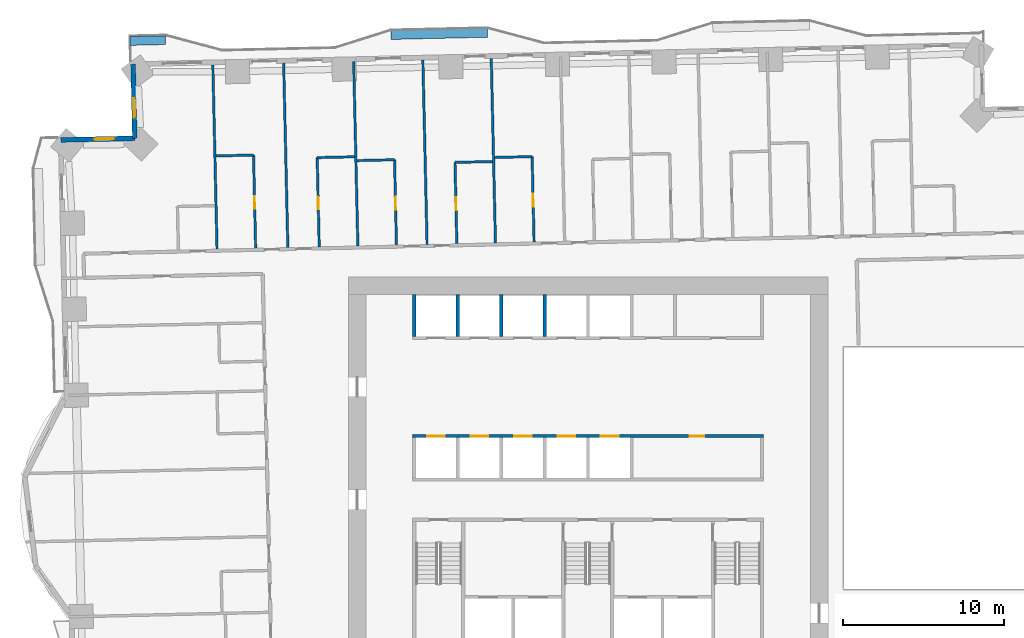
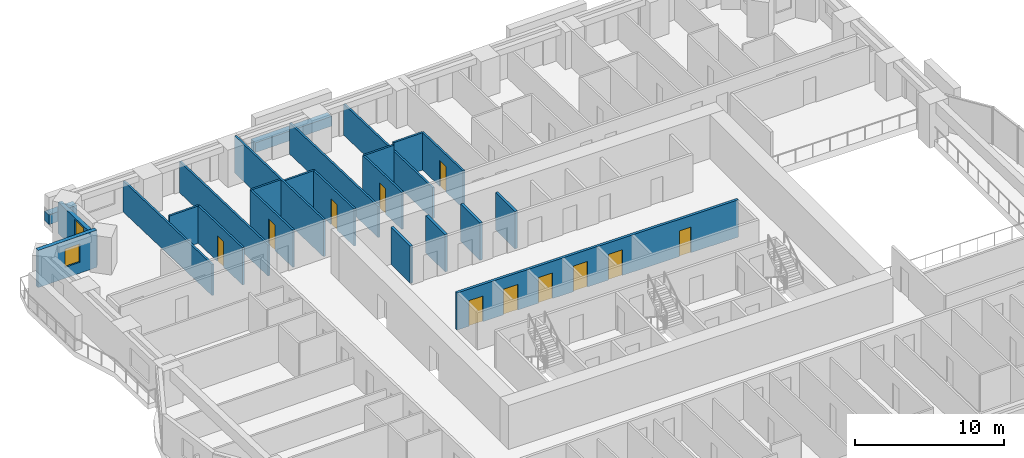
# One storey, part 9 of 16: 24 walls, 11 doors, 2 windows, 13 openings.
"""IFC4 building model written with IfcOpenShell, lengths in metres."""

import ifcopenshell
import ifcopenshell.guid

model = None  # the IFC model being written
_history = None  # IfcOwnerHistory: only IFC2X3 demands one
_inside = {}  # id of a spatial element -> (the spatial element, [elements in it])
_under = {}  # id of a project, library or spatial element -> (it, [spatial elements below it])
_declared = {}  # id of a project -> (the project, [libraries it declares])
_typed = {}  # id of a type object -> (the type object, [elements of that type])
_made_of = {}  # id of a material, layer set ... -> (it, [elements and type objects made of it])


def new_model(schema):
    """Start an empty IFC model of exactly this schema.

    Asked for "IFC4X3", IfcOpenShell would pick the latest addendum, in which some entities
    have other attributes; the version numbers below select the first issue.
    IFC2X3 requires an IfcOwnerHistory on every rooted entity: one is made here for all.
    """
    global model, _history
    if schema == "IFC4X3":
        model = ifcopenshell.file(schema_version=(4, 3, 0, 0))
    else:
        model = ifcopenshell.file(schema=schema)
    _inside.clear()
    _under.clear()
    _declared.clear()
    _typed.clear()
    _made_of.clear()
    _history = None
    if model.schema == "IFC2X3":
        org = make("IfcOrganization", Name="unknown")
        user = make(
            "IfcPersonAndOrganization",
            ThePerson=make("IfcPerson", FamilyName="unknown"),
            TheOrganization=org,
        )
        app = make(
            "IfcApplication",
            ApplicationDeveloper=org,
            Version="unknown",
            ApplicationFullName="unknown",
            ApplicationIdentifier="unknown",
        )
        _history = make(
            "IfcOwnerHistory",
            OwningUser=user,
            OwningApplication=app,
            ChangeAction="ADDED",
            CreationDate=0,
        )
    return model


def make(cls, **values):
    """One entity of the class cls with the attributes given. An attribute that is None is left unset."""
    return model.create_entity(
        cls, **{name: value for name, value in values.items() if value is not None}
    )


def rooted(cls, **values):
    """An entity with a GlobalId (a new one), such as an element, a storey or a relation."""
    return make(cls, GlobalId=ifcopenshell.guid.new(), OwnerHistory=_history, **values)


def si_unit(unit_type, name, prefix=None):
    """IfcSIUnit, for example si_unit("LENGTHUNIT", "METRE", prefix="MILLI")."""
    return make("IfcSIUnit", UnitType=unit_type, Prefix=prefix, Name=name)


def assignment(units):
    """IfcUnitAssignment: the units of a project."""
    return None if units is None else make("IfcUnitAssignment", Units=units)


def point(xyz):
    """IfcCartesianPoint."""
    return None if xyz is None else make("IfcCartesianPoint", Coordinates=xyz)


def direction(xyz):
    """IfcDirection."""
    return None if xyz is None else make("IfcDirection", DirectionRatios=xyz)


def frame(location, z_axis=None, x_axis=None):
    """IfcAxis2Placement3D, a coordinate frame: its origin and axes. An axis left out is left unset."""
    return make(
        "IfcAxis2Placement3D",
        Location=point(location),
        Axis=direction(z_axis),
        RefDirection=direction(x_axis),
    )


def frame_2d(location, x_axis=None):
    """IfcAxis2Placement2D, a coordinate frame in the plane: its origin and x axis."""
    return make(
        "IfcAxis2Placement2D", Location=point(location), RefDirection=direction(x_axis)
    )


def origin():
    """The frame at (0, 0, 0) with its axes left unset."""
    return frame((0.0, 0.0, 0.0))


def place(relative_to, where):
    """IfcLocalPlacement: puts the frame where relative to a parent placement (None: the world)."""
    return make(
        "IfcLocalPlacement", PlacementRelTo=relative_to, RelativePlacement=where
    )


def context(
    kind, dimensions, precision=None, world=None, true_north=None, identifier=None
):
    """IfcGeometricRepresentationContext, for example the 3D "Model" context."""
    return make(
        "IfcGeometricRepresentationContext",
        ContextIdentifier=identifier,
        ContextType=kind,
        CoordinateSpaceDimension=dimensions,
        Precision=precision,
        WorldCoordinateSystem=world,
        TrueNorth=true_north,
    )


def subcontext(parent, identifier, kind, view, scale=None):
    """IfcGeometricRepresentationSubContext, for example "Body" below "Model"."""
    return make(
        "IfcGeometricRepresentationSubContext",
        ContextIdentifier=identifier,
        ContextType=kind,
        ParentContext=parent,
        TargetScale=scale,
        TargetView=view,
    )


def project(units=None, contexts=None):
    """IfcProject with its units and contexts."""
    return rooted(
        "IfcProject",
        Name="project",
        RepresentationContexts=contexts,
        UnitsInContext=assignment(units),
    )


def spatial(cls, under=None, at=None, **own):
    """A site, building, storey or space (cls), placed at a placement, below another one or the project."""
    s = rooted(cls, ObjectPlacement=at, **own)
    if under is not None:
        _under.setdefault(under.id(), (under, []))[1].append(s)
    return s


def profile(cls, at=None, kind="AREA", **sizes):
    """A parametric profile (cls). Its sizes go by their IFC names, for example OverallWidth=200.0."""
    return make(cls, ProfileType=kind, Position=at, **sizes)


def rectangle(**sizes):
    """IfcRectangleProfileDef."""
    return profile("IfcRectangleProfileDef", **sizes)


def extrude(swept, where, along, depth):
    """IfcExtrudedAreaSolid: the profile swept, set in the frame where, extruded along a direction by depth."""
    return make(
        "IfcExtrudedAreaSolid",
        SweptArea=swept,
        Position=where,
        ExtrudedDirection=direction(along),
        Depth=depth,
    )


def shape(context_of_items, identifier, shape_type, items):
    """IfcShapeRepresentation: the items that make up one representation, for example the "Body"."""
    return make(
        "IfcShapeRepresentation",
        ContextOfItems=context_of_items,
        RepresentationIdentifier=identifier,
        RepresentationType=shape_type,
        Items=items,
    )


def material(Name=None, Category=None):
    """IfcMaterial."""
    return make("IfcMaterial", Name=Name, Category=Category)


def layer(
    of_material, thickness, ventilated=None, Name=None, Category=None, Priority=None
):
    """IfcMaterialLayer: one layer of a wall or slab, of a material (None: an air gap)."""
    return make(
        "IfcMaterialLayer",
        Material=of_material,
        LayerThickness=thickness,
        IsVentilated=ventilated,
        Name=Name,
        Category=Category,
        Priority=Priority,
    )


def layer_set(layers, Name=None):
    """IfcMaterialLayerSet."""
    return make("IfcMaterialLayerSet", MaterialLayers=layers, LayerSetName=Name)


def made_of(thing, what):
    """Note that an element or type object is made of a material, layer set ...; save() writes the relation."""
    if what is not None:
        _made_of.setdefault(what.id(), (what, []))[1].append(thing)
    return thing


def type_object(cls, material=None, **own):
    """A type object (cls), such as IfcWallType, which elements share."""
    return made_of(rooted(cls, **own), material)


def element(
    cls,
    number,
    at=None,
    inside=None,
    cuts=None,
    type_object=None,
    material=None,
    context=None,
    identifier="Body",
    shape_type=None,
    held_by="IfcProductDefinitionShape",
    body=None,
    shapes=None,
    **own,
):
    """One element of the class cls, such as IfcWall. Its Tag is "e" and its number.

    at: its placement. inside: the storey or other place that contains it. cuts: it is an
    opening in that element (IfcRelVoidsElement). A single representation is given by context,
    identifier, shape_type and body (its items); several are given by shapes. held_by: the class
    of the entity that holds the representations. save() writes the other relations.
    """
    e = rooted(cls, Tag="e%d" % number, ObjectPlacement=at, **own)
    if body is not None:
        shapes = [shape(context, identifier, shape_type, body)]
    if shapes is not None:
        e.Representation = make(held_by, Representations=shapes)
    if inside is not None:
        _inside.setdefault(inside.id(), (inside, []))[1].append(e)
    if cuts is not None:
        rooted(
            "IfcRelVoidsElement", RelatingBuildingElement=cuts, RelatedOpeningElement=e
        )
    if type_object is not None:
        _typed.setdefault(type_object.id(), (type_object, []))[1].append(e)
    return made_of(e, material)


def fill(opening, filler):
    """IfcRelFillsElement: the door or window that sits in an opening."""
    return rooted(
        "IfcRelFillsElement",
        RelatingOpeningElement=opening,
        RelatedBuildingElement=filler,
    )


def aggregate(whole, parts):
    """IfcRelAggregates: a whole, such as a stair, and the parts it consists of."""
    return rooted("IfcRelAggregates", RelatingObject=whole, RelatedObjects=parts)


def save(model, path):
    """Write the relations noted so far, then the file.

    IfcRelAggregates (storeys below a building ...), IfcRelContainedInSpatialStructure (elements
    in a storey), IfcRelDefinesByType, IfcRelAssociatesMaterial and IfcRelDeclares: one each for
    every whole, place, type object, material and project.
    """
    for whole, parts in _under.values():
        aggregate(whole, parts)
    for where, things in _inside.values():
        rooted(
            "IfcRelContainedInSpatialStructure",
            RelatedElements=things,
            RelatingStructure=where,
        )
    for kind, things in _typed.values():
        rooted("IfcRelDefinesByType", RelatedObjects=things, RelatingType=kind)
    for what, things in _made_of.values():
        rooted("IfcRelAssociatesMaterial", RelatedObjects=things, RelatingMaterial=what)
    for by, libraries in _declared.values():
        rooted("IfcRelDeclares", RelatingContext=by, RelatedDefinitions=libraries)
    model.write(path)


model = new_model("IFC4")

# Units and contexts
model_context = context("Model", 3, precision=1e-05, world=origin(), true_north=direction((0.0, 1.0)))
body_context = subcontext(model_context, "Body", "Model", "MODEL_VIEW")
ifc_project = project(units=[si_unit("LENGTHUNIT", "METRE"), si_unit("AREAUNIT", "SQUARE_METRE"), si_unit("VOLUMEUNIT", "CUBIC_METRE"), si_unit("PLANEANGLEUNIT", "RADIAN"), si_unit("MASSUNIT", "GRAM", prefix="KILO")], contexts=[model_context])

# Site, building, storey
site_placement = place(None, origin())
site = spatial("IfcSite", under=ifc_project, at=site_placement, CompositionType="ELEMENT")
building_placement = place(site_placement, origin())
building = spatial("IfcBuilding", under=site, at=building_placement, Name="Mangrove Gate Tower", CompositionType="ELEMENT")
storey_placement = place(building_placement, frame((0.0, 0.0, 48.5)))
storey = spatial("IfcBuildingStorey", under=building, at=storey_placement, Name="L11", CompositionType="ELEMENT", Elevation=48.5)

# Wall, openings, doors
ifc_material_1 = material(Name="Concrete C70/85", Category="concrete")
ifc_layer_1 = layer(ifc_material_1, 0.199951171875)
ifc_layer_set_1 = layer_set([ifc_layer_1], Name="Core shaft wall 200 C70/85")
wall_type_1 = type_object("IfcWallType", Name="Core shaft wall 200 C70/85", PredefinedType="SHEAR", material=ifc_layer_set_1)
wall_1_placement = place(storey_placement, frame((-10.89990234375, 2.0, 0.0), z_axis=(0.0, 0.0, 1.0), x_axis=(1.0, 0.0, 0.0)))
wall_1 = element("IfcWall", 1, at=wall_1_placement, inside=storey, type_object=wall_type_1, Name="WALL-L11-CORE-7", PredefinedType="SHEAR", context=body_context, shape_type="SweptSolid", body=[
    extrude(rectangle(XDim=21.7998046875, YDim=0.199951171875, at=frame_2d((10.89990234375, 0.0))), origin(), (0.0, 0.0, 1.0), 3.050048828125),
])
opening_1_placement = place(wall_1_placement, frame((0.89990234375, 0.0, 0.0)))
opening_1 = element("IfcOpeningElement", 2, at=opening_1_placement, cuts=wall_1, Name="Opening LD", PredefinedType="OPENING", context=body_context, shape_type="SweptSolid", body=[
    extrude(rectangle(XDim=1.10009765625, YDim=2.10009765625, at=frame_2d((0.550048828125, 1.050048828125))), frame((0.0, 0.10986328125, 0.0), z_axis=(0.0, -1.0, 0.0), x_axis=(1.0, 0.0, 0.0)), (0.0, 0.0, 1.0), 0.219970703125),
])
opening_2_placement = place(wall_1_placement, frame((3.60009765625, 0.0, 0.0)))
opening_2 = element("IfcOpeningElement", 3, at=opening_2_placement, cuts=wall_1, Name="Opening LD", PredefinedType="OPENING", context=body_context, shape_type="SweptSolid", body=[
    extrude(rectangle(XDim=1.10009765625, YDim=2.10009765625, at=frame_2d((0.550048828125, 1.050048828125))), frame((0.0, 0.10986328125, 0.0), z_axis=(0.0, -1.0, 0.0), x_axis=(1.0, 0.0, 0.0)), (0.0, 0.0, 1.0), 0.219970703125),
])
opening_3_placement = place(wall_1_placement, frame((6.300048828125, 0.0, 0.0)))
opening_3 = element("IfcOpeningElement", 4, at=opening_3_placement, cuts=wall_1, Name="Opening LD", PredefinedType="OPENING", context=body_context, shape_type="SweptSolid", body=[
    extrude(rectangle(XDim=1.10009765625, YDim=2.10009765625, at=frame_2d((0.550048828125, 1.050048828125))), frame((0.0, 0.10986328125, 0.0), z_axis=(0.0, -1.0, 0.0), x_axis=(1.0, 0.0, 0.0)), (0.0, 0.0, 1.0), 0.219970703125),
])
opening_4_placement = place(wall_1_placement, frame((9.0, 0.0, 0.0)))
opening_4 = element("IfcOpeningElement", 5, at=opening_4_placement, cuts=wall_1, Name="Opening LD", PredefinedType="OPENING", context=body_context, shape_type="SweptSolid", body=[
    extrude(rectangle(XDim=1.10009765625, YDim=2.10009765625, at=frame_2d((0.550048828125, 1.050048828125))), frame((0.0, 0.10986328125, 0.0), z_axis=(0.0, -1.0, 0.0), x_axis=(1.0, 0.0, 0.0)), (0.0, 0.0, 1.0), 0.219970703125),
])
opening_5_placement = place(wall_1_placement, frame((11.699951171875, 0.0, 0.0)))
opening_5 = element("IfcOpeningElement", 6, at=opening_5_placement, cuts=wall_1, Name="Opening LD", PredefinedType="OPENING", context=body_context, shape_type="SweptSolid", body=[
    extrude(rectangle(XDim=1.10009765625, YDim=2.10009765625, at=frame_2d((0.550048828125, 1.050048828125))), frame((0.0, 0.10986328125, 0.0), z_axis=(0.0, -1.0, 0.0), x_axis=(1.0, 0.0, 0.0)), (0.0, 0.0, 1.0), 0.219970703125),
])
opening_6_placement = place(wall_1_placement, frame((17.199951171875, 0.0, 0.0)))
opening_6 = element("IfcOpeningElement", 7, at=opening_6_placement, cuts=wall_1, Name="Opening RD", PredefinedType="OPENING", context=body_context, shape_type="SweptSolid", body=[
    extrude(rectangle(XDim=0.89990234375, YDim=2.10009765625, at=frame_2d((0.449951171875, 1.050048828125))), frame((0.0, 0.10986328125, 0.0), z_axis=(0.0, -1.0, 0.0), x_axis=(1.0, 0.0, 0.0)), (0.0, 0.0, 1.0), 0.219970703125),
])
ifc_material_2 = material(Name="Stainless steel 316", Category="steel")
door_type_1 = type_object("IfcDoorType", Name="Lift landing door 1100x2100", OperationType="SLIDING_TO_LEFT", PredefinedType="DOOR", material=ifc_material_2)
door_1_placement = place(opening_1_placement, origin())
door_1 = element("IfcDoor", 8, at=door_1_placement, inside=storey, type_object=door_type_1, Name="Landing door LD P01", OperationType="SLIDING_TO_LEFT", OverallHeight=2.10009765625, OverallWidth=1.10009765625, PredefinedType="DOOR", context=body_context, shape_type="SweptSolid", body=[
    extrude(rectangle(XDim=1.10009765625, YDim=2.10009765625, at=frame_2d((0.550048828125, 1.050048828125))), frame((0.0, 0.02490234375, 0.0), z_axis=(0.0, -1.0, 0.0), x_axis=(1.0, 0.0, 0.0)), (0.0, 0.0, 1.0), 0.050048828125),
])
fill(opening_1, door_1)
door_2_placement = place(opening_2_placement, origin())
door_2 = element("IfcDoor", 9, at=door_2_placement, inside=storey, type_object=door_type_1, Name="Landing door LD P02", OperationType="SLIDING_TO_LEFT", OverallHeight=2.10009765625, OverallWidth=1.10009765625, PredefinedType="DOOR", context=body_context, shape_type="SweptSolid", body=[
    extrude(rectangle(XDim=1.10009765625, YDim=2.10009765625, at=frame_2d((0.550048828125, 1.050048828125))), frame((0.0, 0.02490234375, 0.0), z_axis=(0.0, -1.0, 0.0), x_axis=(1.0, 0.0, 0.0)), (0.0, 0.0, 1.0), 0.050048828125),
])
fill(opening_2, door_2)
door_3_placement = place(opening_3_placement, origin())
door_3 = element("IfcDoor", 10, at=door_3_placement, inside=storey, type_object=door_type_1, Name="Landing door LD P03", OperationType="SLIDING_TO_LEFT", OverallHeight=2.10009765625, OverallWidth=1.10009765625, PredefinedType="DOOR", context=body_context, shape_type="SweptSolid", body=[
    extrude(rectangle(XDim=1.10009765625, YDim=2.10009765625, at=frame_2d((0.550048828125, 1.050048828125))), frame((0.0, 0.02490234375, 0.0), z_axis=(0.0, -1.0, 0.0), x_axis=(1.0, 0.0, 0.0)), (0.0, 0.0, 1.0), 0.050048828125),
])
fill(opening_3, door_3)
door_4_placement = place(opening_4_placement, origin())
door_4 = element("IfcDoor", 11, at=door_4_placement, inside=storey, type_object=door_type_1, Name="Landing door LD P04", OperationType="SLIDING_TO_LEFT", OverallHeight=2.10009765625, OverallWidth=1.10009765625, PredefinedType="DOOR", context=body_context, shape_type="SweptSolid", body=[
    extrude(rectangle(XDim=1.10009765625, YDim=2.10009765625, at=frame_2d((0.550048828125, 1.050048828125))), frame((0.0, 0.02490234375, 0.0), z_axis=(0.0, -1.0, 0.0), x_axis=(1.0, 0.0, 0.0)), (0.0, 0.0, 1.0), 0.050048828125),
])
fill(opening_4, door_4)
door_5_placement = place(opening_5_placement, origin())
door_5 = element("IfcDoor", 12, at=door_5_placement, inside=storey, type_object=door_type_1, Name="Landing door LD P05", OperationType="SLIDING_TO_LEFT", OverallHeight=2.10009765625, OverallWidth=1.10009765625, PredefinedType="DOOR", context=body_context, shape_type="SweptSolid", body=[
    extrude(rectangle(XDim=1.10009765625, YDim=2.10009765625, at=frame_2d((0.550048828125, 1.050048828125))), frame((0.0, 0.02490234375, 0.0), z_axis=(0.0, -1.0, 0.0), x_axis=(1.0, 0.0, 0.0)), (0.0, 0.0, 1.0), 0.050048828125),
])
fill(opening_5, door_5)
ifc_material_3 = material(Name="Fire-rated steel door set", Category="steel")
door_type_2 = type_object("IfcDoorType", Name="Riser door FD30S 900x2100", OperationType="SINGLE_SWING_LEFT", PredefinedType="DOOR", material=ifc_material_3)
door_6_placement = place(opening_6_placement, origin())
door_6 = element("IfcDoor", 13, at=door_6_placement, inside=storey, type_object=door_type_2, Name="Riser door Electrical room", OperationType="SINGLE_SWING_LEFT", OverallHeight=2.10009765625, OverallWidth=0.89990234375, PredefinedType="DOOR", context=body_context, shape_type="SweptSolid", body=[
    extrude(rectangle(XDim=0.89990234375, YDim=2.10009765625, at=frame_2d((0.449951171875, 1.050048828125))), frame((0.0, 0.02490234375, 0.0), z_axis=(0.0, -1.0, 0.0), x_axis=(1.0, 0.0, 0.0)), (0.0, 0.0, 1.0), 0.050048828125),
])
fill(opening_6, door_6)

# Walls
for number, where, z_axis, x_axis, name in (
    (14, (-10.800048828125, 8.199951171875, 0.0), (0.0, 0.0, 1.0), (0.0, 1.0, 0.0), "WALL-L11-CORE-26"),
    (15, (-8.10009765625, 8.199951171875, 0.0), (0.0, 0.0, 1.0), (0.0, 1.0, 0.0), "WALL-L11-CORE-27"),
    (16, (-5.39990234375, 8.199951171875, 0.0), (0.0, 0.0, 1.0), (0.0, 1.0, 0.0), "WALL-L11-CORE-28"),
    (17, (-2.699951171875, 8.199951171875, 0.0), (0.0, 0.0, 1.0), (0.0, 1.0, 0.0), "WALL-L11-CORE-29"),
):
    element("IfcWall", number, at=place(storey_placement, frame(where, z_axis=z_axis, x_axis=x_axis)), inside=storey, type_object=wall_type_1, Name=name, PredefinedType="SHEAR", context=body_context, shape_type="SweptSolid", body=[
        extrude(rectangle(XDim=2.60009765625, YDim=0.199951171875, at=frame_2d((1.300048828125, 0.0))), origin(), (0.0, 0.0, 1.0), 3.050048828125),
    ])

# Wall, opening, window
ifc_material_4 = material(Name="Limestone", Category="masonry")
ifc_layer_2 = layer(ifc_material_4, 0.0400390625, Name="Limestone cladding")
ifc_material_5 = material(Name="Ventilated air gap")
ifc_layer_3 = layer(ifc_material_5, 0.0400390625, Name="Ventilated cavity")
ifc_material_6 = material(Name="Mineral wool insulation")
ifc_layer_4 = layer(ifc_material_6, 0.06005859375, Name="Insulation")
ifc_material_7 = material(Name="Breather membrane")
ifc_layer_5 = layer(ifc_material_7, 0.001953125, Name="Breather membrane")
ifc_material_8 = material(Name="Concrete C20/25 blockwork", Category="masonry")
ifc_layer_6 = layer(ifc_material_8, 0.14990234375, Name="Blockwork backing wall")
ifc_material_9 = material(Name="Gypsum plaster")
ifc_layer_7 = layer(ifc_material_9, 0.008056640625, Name="Internal plaster")
ifc_layer_set_2 = layer_set([ifc_layer_2, ifc_layer_3, ifc_layer_4, ifc_layer_5, ifc_layer_6, ifc_layer_7], Name="External wall 300 limestone cladding")
wall_type_2 = type_object("IfcWallType", Name="External wall 300 limestone cladding", PredefinedType="SOLIDWALL", material=ifc_layer_set_2)
wall_2_placement = place(storey_placement, frame((-28.263916015625, 25.10205078125, 0.0), z_axis=(0.0, 0.0, 1.0), x_axis=(0.022820258049, -0.999739584003, 0.0)))
wall_2 = element("IfcWall", 18, at=wall_2_placement, inside=storey, type_object=wall_type_2, Name="WALL-L11-W6", PredefinedType="SOLIDWALL", context=body_context, shape_type="SweptSolid", body=[
    extrude(rectangle(XDim=4.600341796875, YDim=0.300048828125, at=frame_2d((2.30029296875, 0.0))), origin(), (0.0, 0.0, 1.0), 2.550048828125),
])
opening_7_placement = place(wall_2_placement, frame((2.114013671875, 0.0, 0.89990234375)))
opening_7 = element("IfcOpeningElement", 19, at=opening_7_placement, cuts=wall_2, Name="Opening W1", PredefinedType="OPENING", context=body_context, shape_type="SweptSolid", body=[
    extrude(rectangle(XDim=1.199951171875, YDim=1.5, at=frame_2d((0.60009765625, 0.75))), frame((0.0, 0.159912109375, 0.0), z_axis=(0.0, -1.0, 0.0), x_axis=(1.0, 0.0, 0.0)), (0.0, 0.0, 1.0), 0.320068359375),
])
ifc_material_10 = material(Name="Aluminium frame with double-glazed low-e glass", Category="aluminium")
window_type = type_object("IfcWindowType", Name="Side lite 1200x1500", PartitioningType="SINGLE_PANEL", PredefinedType="WINDOW", material=ifc_material_10)
window_1_placement = place(opening_7_placement, origin())
window_1 = element("IfcWindow", 20, at=window_1_placement, inside=storey, type_object=window_type, Name="WIN-L11-W6-1", OverallHeight=1.5, OverallWidth=1.199951171875, PartitioningType="SINGLE_PANEL", PredefinedType="WINDOW", context=body_context, shape_type="SweptSolid", body=[
    extrude(rectangle(XDim=1.199951171875, YDim=1.5, at=frame_2d((0.60009765625, 0.75))), frame((0.0, 0.030029296875, 0.0), z_axis=(0.0, -1.0, 0.0), x_axis=(1.0, 0.0, 0.0)), (0.0, 0.0, 1.0), 0.06005859375),
])
fill(opening_7, window_1)

wall_3_placement = place(storey_placement, frame((-28.158935546875, 20.5029296875, 0.0), z_axis=(0.0, 0.0, 1.0), x_axis=(-0.999744404568, -0.02260808559, 0.0)))
wall_3 = element("IfcWall", 21, at=wall_3_placement, inside=storey, type_object=wall_type_2, Name="WALL-L11-N7", PredefinedType="SOLIDWALL", context=body_context, shape_type="SweptSolid", body=[
    extrude(rectangle(XDim=4.600341796875, YDim=0.300048828125, at=frame_2d((2.30029296875, 0.0))), origin(), (0.0, 0.0, 1.0), 3.050048828125),
])
opening_8_placement = place(wall_3_placement, frame((1.302001953125, 0.0, 0.89990234375)))
opening_8 = element("IfcOpeningElement", 22, at=opening_8_placement, cuts=wall_3, Name="Opening W1", PredefinedType="OPENING", context=body_context, shape_type="SweptSolid", body=[
    extrude(rectangle(XDim=1.199951171875, YDim=1.5, at=frame_2d((0.60009765625, 0.75))), frame((0.0, 0.159912109375, 0.0), z_axis=(0.0, -1.0, 0.0), x_axis=(1.0, 0.0, 0.0)), (0.0, 0.0, 1.0), 0.320068359375),
])
window_2_placement = place(opening_8_placement, origin())
window_2 = element("IfcWindow", 23, at=window_2_placement, inside=storey, type_object=window_type, Name="WIN-L11-N7-1", OverallHeight=1.5, OverallWidth=1.199951171875, PartitioningType="SINGLE_PANEL", PredefinedType="WINDOW", context=body_context, shape_type="SweptSolid", body=[
    extrude(rectangle(XDim=1.199951171875, YDim=1.5, at=frame_2d((0.60009765625, 0.75))), frame((0.0, 0.030029296875, 0.0), z_axis=(0.0, -1.0, 0.0), x_axis=(1.0, 0.0, 0.0)), (0.0, 0.0, 1.0), 0.06005859375),
])
fill(opening_8, window_2)

# Wall
ifc_material_11 = material(Name="Gypsum board on steel stud, EI 60", Category="steel")
ifc_layer_8 = layer(ifc_material_11, 0.14990234375)
ifc_layer_set_3 = layer_set([ifc_layer_8], Name="Party wall 150 EI 60")
wall_type_3 = type_object("IfcWallType", Name="Party wall 150 EI 60", PredefinedType="PARTITIONING", material=ifc_layer_set_3)
wall_4_placement = place(storey_placement, frame((-23.052001953125, 13.616943359375, 0.0), z_axis=(0.0, 0.0, 1.0), x_axis=(-0.022708327922, 0.999742132674, 0.0)))
element("IfcWall", 24, at=wall_4_placement, inside=storey, type_object=wall_type_3, Name="WALL-L11-063", PredefinedType="PARTITIONING", context=body_context, shape_type="SweptSolid", body=[
    extrude(rectangle(XDim=11.449951171875, YDim=0.14990234375, at=frame_2d((5.72509765625, 0.0))), origin(), (0.0, 0.0, 1.0), 2.550048828125),
])

# Wall, opening, door
wall_5_placement = place(storey_placement, frame((-20.653076171875, 13.672119140625, 0.0), z_axis=(0.0, 0.0, 1.0), x_axis=(-0.022603579342, 0.999744506462, 0.0)))
wall_5 = element("IfcWall", 25, at=wall_5_placement, inside=storey, type_object=wall_type_3, Name="WALL-L11-064", PredefinedType="PARTITIONING", context=body_context, shape_type="SweptSolid", body=[
    extrude(rectangle(XDim=5.789306640625, YDim=0.14990234375, at=frame_2d((2.89453125, 0.0))), origin(), (0.0, 0.0, 1.0), 3.050048828125),
])
opening_9_placement = place(wall_5_placement, frame((2.445068359375, 0.0, 0.0)))
opening_9 = element("IfcOpeningElement", 26, at=opening_9_placement, cuts=wall_5, Name="Opening ED", PredefinedType="OPENING", context=body_context, shape_type="SweptSolid", body=[
    extrude(rectangle(XDim=0.800048828125, YDim=2.10009765625, at=frame_2d((0.39990234375, 1.050048828125))), frame((0.0, 0.0849609375, 0.0), z_axis=(0.0, -1.0, 0.0), x_axis=(1.0, 0.0, 0.0)), (0.0, 0.0, 1.0), 0.169921875),
])
ifc_material_12 = material(Name="Timber door leaf", Category="wood")
door_type_3 = type_object("IfcDoorType", Name="En-suite door 800", OperationType="SINGLE_SWING_LEFT", PredefinedType="DOOR", material=ifc_material_12)
door_7_placement = place(opening_9_placement, origin())
door_7 = element("IfcDoor", 27, at=door_7_placement, inside=storey, type_object=door_type_3, Name="DOOR-L11-ENS-c519", OperationType="SINGLE_SWING_LEFT", OverallHeight=2.10009765625, OverallWidth=0.800048828125, PredefinedType="DOOR", context=body_context, shape_type="SweptSolid", body=[
    extrude(rectangle(XDim=0.800048828125, YDim=2.10009765625, at=frame_2d((0.39990234375, 1.050048828125))), frame((0.0, 0.02490234375, 0.0), z_axis=(0.0, -1.0, 0.0), x_axis=(1.0, 0.0, 0.0)), (0.0, 0.0, 1.0), 0.050048828125),
])
fill(opening_9, door_7)

# Wall
wall_6_placement = place(storey_placement, frame((-18.653076171875, 13.717041015625, 0.0), z_axis=(0.0, 0.0, 1.0), x_axis=(-0.022708327922, 0.999742132674, 0.0)))
element("IfcWall", 28, at=wall_6_placement, inside=storey, type_object=wall_type_3, Name="WALL-L11-065", PredefinedType="PARTITIONING", context=body_context, shape_type="SweptSolid", body=[
    extrude(rectangle(XDim=11.449951171875, YDim=0.14990234375, at=frame_2d((5.72509765625, 0.0))), origin(), (0.0, 0.0, 1.0), 2.550048828125),
])

# Wall, opening, door
wall_7_placement = place(storey_placement, frame((-16.7041015625, 13.760986328125, 0.0), z_axis=(0.0, 0.0, 1.0), x_axis=(-0.022561251624, 0.999745462568, 0.0)))
wall_7 = element("IfcWall", 29, at=wall_7_placement, inside=storey, type_object=wall_type_3, Name="WALL-L11-066", PredefinedType="PARTITIONING", context=body_context, shape_type="SweptSolid", body=[
    extrude(rectangle(XDim=5.54052734375, YDim=0.14990234375, at=frame_2d((2.770263671875, 0.0))), origin(), (0.0, 0.0, 1.0), 3.050048828125),
])
opening_10_placement = place(wall_7_placement, frame((2.320068359375, 0.0, 0.0)))
opening_10 = element("IfcOpeningElement", 30, at=opening_10_placement, cuts=wall_7, Name="Opening ED", PredefinedType="OPENING", context=body_context, shape_type="SweptSolid", body=[
    extrude(rectangle(XDim=0.800048828125, YDim=2.10009765625, at=frame_2d((0.39990234375, 1.050048828125))), frame((0.0, 0.0849609375, 0.0), z_axis=(0.0, -1.0, 0.0), x_axis=(1.0, 0.0, 0.0)), (0.0, 0.0, 1.0), 0.169921875),
])
door_8_placement = place(opening_10_placement, origin())
door_8 = element("IfcDoor", 31, at=door_8_placement, inside=storey, type_object=door_type_3, Name="DOOR-L11-ENS-c518", OperationType="SINGLE_SWING_RIGHT", OverallHeight=2.10009765625, OverallWidth=0.800048828125, PredefinedType="DOOR", context=body_context, shape_type="SweptSolid", body=[
    extrude(rectangle(XDim=0.800048828125, YDim=2.10009765625, at=frame_2d((0.39990234375, 1.050048828125))), frame((0.0, 0.02490234375, 0.0), z_axis=(0.0, -1.0, 0.0), x_axis=(1.0, 0.0, 0.0)), (0.0, 0.0, 1.0), 0.050048828125),
])
fill(opening_10, door_8)

# Wall
wall_8_placement = place(storey_placement, frame((-14.303955078125, 13.81591796875, 0.0), z_axis=(0.0, 0.0, 1.0), x_axis=(-0.022708327922, 0.999742132674, 0.0)))
element("IfcWall", 32, at=wall_8_placement, inside=storey, type_object=wall_type_3, Name="WALL-L11-067", PredefinedType="PARTITIONING", context=body_context, shape_type="SweptSolid", body=[
    extrude(rectangle(XDim=11.449951171875, YDim=0.14990234375, at=frame_2d((5.72509765625, 0.0))), origin(), (0.0, 0.0, 1.0), 3.050048828125),
])

# Wall, opening, door
wall_9_placement = place(storey_placement, frame((-11.905029296875, 13.8701171875, 0.0), z_axis=(0.0, 0.0, 1.0), x_axis=(-0.022616771387, 0.999744208111, 0.0)))
wall_9 = element("IfcWall", 33, at=wall_9_placement, inside=storey, type_object=wall_type_3, Name="WALL-L11-068", PredefinedType="PARTITIONING", context=body_context, shape_type="SweptSolid", body=[
    extrude(rectangle(XDim=5.30029296875, YDim=0.14990234375, at=frame_2d((2.650146484375, 0.0))), origin(), (0.0, 0.0, 1.0), 3.050048828125),
])
opening_11_placement = place(wall_9_placement, frame((2.199951171875, 0.0, 0.0)))
opening_11 = element("IfcOpeningElement", 34, at=opening_11_placement, cuts=wall_9, Name="Opening ED", PredefinedType="OPENING", context=body_context, shape_type="SweptSolid", body=[
    extrude(rectangle(XDim=0.800048828125, YDim=2.10009765625, at=frame_2d((0.39990234375, 1.050048828125))), frame((0.0, 0.0849609375, 0.0), z_axis=(0.0, -1.0, 0.0), x_axis=(1.0, 0.0, 0.0)), (0.0, 0.0, 1.0), 0.169921875),
])
door_9_placement = place(opening_11_placement, origin())
door_9 = element("IfcDoor", 35, at=door_9_placement, inside=storey, type_object=door_type_3, Name="DOOR-L11-ENS-c517", OperationType="SINGLE_SWING_LEFT", OverallHeight=2.10009765625, OverallWidth=0.800048828125, PredefinedType="DOOR", context=body_context, shape_type="SweptSolid", body=[
    extrude(rectangle(XDim=0.800048828125, YDim=2.10009765625, at=frame_2d((0.39990234375, 1.050048828125))), frame((0.0, 0.02490234375, 0.0), z_axis=(0.0, -1.0, 0.0), x_axis=(1.0, 0.0, 0.0)), (0.0, 0.0, 1.0), 0.050048828125),
])
fill(opening_11, door_9)

# Wall
wall_10_placement = place(storey_placement, frame((-10.0048828125, 13.9130859375, 0.0), z_axis=(0.0, 0.0, 1.0), x_axis=(-0.022706391805, 0.999742176649, 0.0)))
element("IfcWall", 36, at=wall_10_placement, inside=storey, type_object=wall_type_3, Name="WALL-L11-069", PredefinedType="PARTITIONING", context=body_context, shape_type="SweptSolid", body=[
    extrude(rectangle(XDim=11.450927734375, YDim=0.14990234375, at=frame_2d((5.7255859375, 0.0))), origin(), (0.0, 0.0, 1.0), 2.550048828125),
])

# Wall, opening, door
wall_11_placement = place(storey_placement, frame((-8.156005859375, 13.955078125, 0.0), z_axis=(0.0, 0.0, 1.0), x_axis=(-0.022576449265, 0.999745119487, 0.0)))
wall_11 = element("IfcWall", 37, at=wall_11_placement, inside=storey, type_object=wall_type_3, Name="WALL-L11-070", PredefinedType="PARTITIONING", context=body_context, shape_type="SweptSolid", body=[
    extrude(rectangle(XDim=5.050048828125, YDim=0.14990234375, at=frame_2d((2.52490234375, 0.0))), origin(), (0.0, 0.0, 1.0), 3.050048828125),
])
opening_12_placement = place(wall_11_placement, frame((2.074951171875, 0.0, 0.0)))
opening_12 = element("IfcOpeningElement", 38, at=opening_12_placement, cuts=wall_11, Name="Opening ED", PredefinedType="OPENING", context=body_context, shape_type="SweptSolid", body=[
    extrude(rectangle(XDim=0.800048828125, YDim=2.10009765625, at=frame_2d((0.39990234375, 1.050048828125))), frame((0.0, 0.0849609375, 0.0), z_axis=(0.0, -1.0, 0.0), x_axis=(1.0, 0.0, 0.0)), (0.0, 0.0, 1.0), 0.169921875),
])
door_10_placement = place(opening_12_placement, origin())
door_10 = element("IfcDoor", 39, at=door_10_placement, inside=storey, type_object=door_type_3, Name="DOOR-L11-ENS-c416", OperationType="SINGLE_SWING_RIGHT", OverallHeight=2.10009765625, OverallWidth=0.800048828125, PredefinedType="DOOR", context=body_context, shape_type="SweptSolid", body=[
    extrude(rectangle(XDim=0.800048828125, YDim=2.10009765625, at=frame_2d((0.39990234375, 1.050048828125))), frame((0.0, 0.02490234375, 0.0), z_axis=(0.0, -1.0, 0.0), x_axis=(1.0, 0.0, 0.0)), (0.0, 0.0, 1.0), 0.050048828125),
])
fill(opening_12, door_10)

# Wall
wall_12_placement = place(storey_placement, frame((-5.756103515625, 14.010009765625, 0.0), z_axis=(0.0, 0.0, 1.0), x_axis=(-0.022708327922, 0.999742132674, 0.0)))
element("IfcWall", 40, at=wall_12_placement, inside=storey, type_object=wall_type_3, Name="WALL-L11-071", PredefinedType="PARTITIONING", context=body_context, shape_type="SweptSolid", body=[
    extrude(rectangle(XDim=11.449951171875, YDim=0.14990234375, at=frame_2d((5.72509765625, 0.0))), origin(), (0.0, 0.0, 1.0), 2.550048828125),
])

# Wall, opening, door
wall_13_placement = place(storey_placement, frame((-3.35693359375, 14.06396484375, 0.0), z_axis=(0.0, 0.0, 1.0), x_axis=(-0.022661766832, 0.999743189186, 0.0)))
wall_13 = element("IfcWall", 41, at=wall_13_placement, inside=storey, type_object=wall_type_3, Name="WALL-L11-072", PredefinedType="PARTITIONING", context=body_context, shape_type="SweptSolid", body=[
    extrude(rectangle(XDim=5.300537109375, YDim=0.14990234375, at=frame_2d((2.650390625, 0.0))), origin(), (0.0, 0.0, 1.0), 3.050048828125),
])
opening_13_placement = place(wall_13_placement, frame((2.199951171875, 0.0, 0.0)))
opening_13 = element("IfcOpeningElement", 42, at=opening_13_placement, cuts=wall_13, Name="Opening ED", PredefinedType="OPENING", context=body_context, shape_type="SweptSolid", body=[
    extrude(rectangle(XDim=0.800048828125, YDim=2.10009765625, at=frame_2d((0.39990234375, 1.050048828125))), frame((0.0, 0.0849609375, 0.0), z_axis=(0.0, -1.0, 0.0), x_axis=(1.0, 0.0, 0.0)), (0.0, 0.0, 1.0), 0.169921875),
])
door_11_placement = place(opening_13_placement, origin())
door_11 = element("IfcDoor", 43, at=door_11_placement, inside=storey, type_object=door_type_3, Name="DOOR-L11-ENS-c415", OperationType="SINGLE_SWING_LEFT", OverallHeight=2.10009765625, OverallWidth=0.800048828125, PredefinedType="DOOR", context=body_context, shape_type="SweptSolid", body=[
    extrude(rectangle(XDim=0.800048828125, YDim=2.10009765625, at=frame_2d((0.39990234375, 1.050048828125))), frame((0.0, 0.02490234375, 0.0), z_axis=(0.0, -1.0, 0.0), x_axis=(1.0, 0.0, 0.0)), (0.0, 0.0, 1.0), 0.050048828125),
])
fill(opening_13, door_11)

# Walls
wall_14_placement = place(storey_placement, frame((-8.27001953125, 19.00390625, 0.0), z_axis=(0.0, 0.0, 1.0), x_axis=(0.999740260747, 0.02279059109, 0.0)))
element("IfcWall", 44, at=wall_14_placement, inside=storey, type_object=wall_type_3, Name="WALL-L11-087", PredefinedType="PARTITIONING", context=body_context, shape_type="SweptSolid", body=[
    extrude(rectangle(XDim=2.324462890625, YDim=0.14990234375, at=frame_2d((1.162109375, 0.0))), origin(), (0.0, 0.0, 1.0), 3.050048828125),
])
wall_15_placement = place(storey_placement, frame((-14.34912109375, 19.115966796875, 0.0), z_axis=(0.0, 0.0, 1.0), x_axis=(0.99974031529, 0.022788198363, 0.0)))
element("IfcWall", 45, at=wall_15_placement, inside=storey, type_object=wall_type_3, Name="WALL-L11-089", PredefinedType="PARTITIONING", context=body_context, shape_type="SweptSolid", body=[
    extrude(rectangle(XDim=2.32470703125, YDim=0.14990234375, at=frame_2d((1.162353515625, 0.0))), origin(), (0.0, 0.0, 1.0), 3.050048828125),
])
wall_16_placement = place(storey_placement, frame((-5.802001953125, 19.31005859375, 0.0), z_axis=(0.0, 0.0, 1.0), x_axis=(0.999740478815, 0.022781023197, 0.0)))
element("IfcWall", 46, at=wall_16_placement, inside=storey, type_object=wall_type_3, Name="WALL-L11-090", PredefinedType="PARTITIONING", context=body_context, shape_type="SweptSolid", body=[
    extrude(rectangle(XDim=2.325439453125, YDim=0.14990234375, at=frame_2d((1.16259765625, 0.0))), origin(), (0.0, 0.0, 1.0), 3.050048828125),
])
wall_17_placement = place(storey_placement, frame((-16.8291015625, 19.300048828125, 0.0), z_axis=(0.0, 0.0, 1.0), x_axis=(0.99974031529, 0.022788198363, 0.0)))
element("IfcWall", 47, at=wall_17_placement, inside=storey, type_object=wall_type_3, Name="WALL-L11-093", PredefinedType="PARTITIONING", context=body_context, shape_type="SweptSolid", body=[
    extrude(rectangle(XDim=2.32470703125, YDim=0.14990234375, at=frame_2d((1.162353515625, 0.0))), origin(), (0.0, 0.0, 1.0), 3.050048828125),
])
wall_18_placement = place(storey_placement, frame((-23.10791015625, 19.406982421875, 0.0), z_axis=(0.0, 0.0, 1.0), x_axis=(0.999740260747, 0.02279059109, 0.0)))
element("IfcWall", 48, at=wall_18_placement, inside=storey, type_object=wall_type_3, Name="WALL-L11-094", PredefinedType="PARTITIONING", context=body_context, shape_type="SweptSolid", body=[
    extrude(rectangle(XDim=2.324462890625, YDim=0.14990234375, at=frame_2d((1.162109375, 0.0))), origin(), (0.0, 0.0, 1.0), 3.050048828125),
])
ifc_material_13 = material(Name="Concrete C32/40", Category="concrete")
ifc_layer_9 = layer(ifc_material_13, 0.199951171875, Name="Planter trough wall")
ifc_material_14 = material(Name="Bituminous waterproofing membrane")
ifc_layer_10 = layer(ifc_material_14, 0.0048828125, Name="Waterproofing")
ifc_material_15 = material(Name="Drainage board and gravel")
ifc_layer_11 = layer(ifc_material_15, 0.044921875, Name="Drainage layer")
ifc_material_16 = material(Name="Planting soil")
ifc_layer_12 = layer(ifc_material_16, 0.300048828125, Name="Growing medium")
ifc_layer_set_4 = layer_set([ifc_layer_9, ifc_layer_10, ifc_layer_11, ifc_layer_12], Name="Planter wall 550 C32/40")
wall_type_4 = type_object("IfcWallType", Name="Planter wall 550 C32/40", PredefinedType="USERDEFINED", material=ifc_layer_set_4)
wall_19_placement = place(storey_placement, frame((-28.446044921875, 26.548095703125, 0.0), z_axis=(0.0, 0.0, 1.0), x_axis=(0.999743608889, 0.022643243723, 0.0)))
element("IfcWall", 49, at=wall_19_placement, inside=storey, type_object=wall_type_4, Name="PLANTER L11 N1.1", ObjectType="PLANTER", PredefinedType="USERDEFINED", context=body_context, shape_type="SweptSolid", body=[
    extrude(rectangle(XDim=2.199462890625, YDim=0.550048828125, at=frame_2d((1.099609375, 0.0))), origin(), (0.0, 0.0, 1.0), 0.800048828125),
])
wall_20_placement = place(storey_placement, frame((-12.25, 26.9150390625, 0.0), z_axis=(0.0, 0.0, 1.0), x_axis=(0.999743094499, 0.022665943652, 0.0)))
element("IfcWall", 50, at=wall_20_placement, inside=storey, type_object=wall_type_4, Name="PLANTER L11 N1.2", ObjectType="PLANTER", PredefinedType="USERDEFINED", context=body_context, shape_type="SweptSolid", body=[
    extrude(rectangle(XDim=5.99951171875, YDim=0.550048828125, at=frame_2d((2.999755859375, 0.0))), origin(), (0.0, 0.0, 1.0), 0.800048828125),
])

save(model, "model.ifc")
